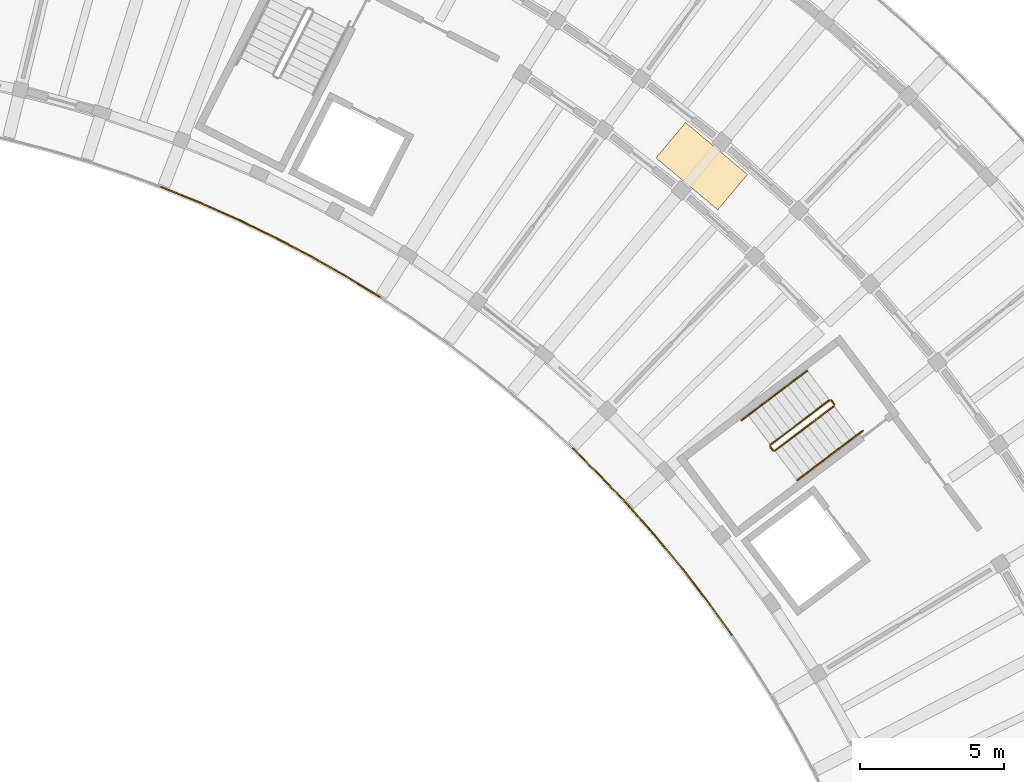
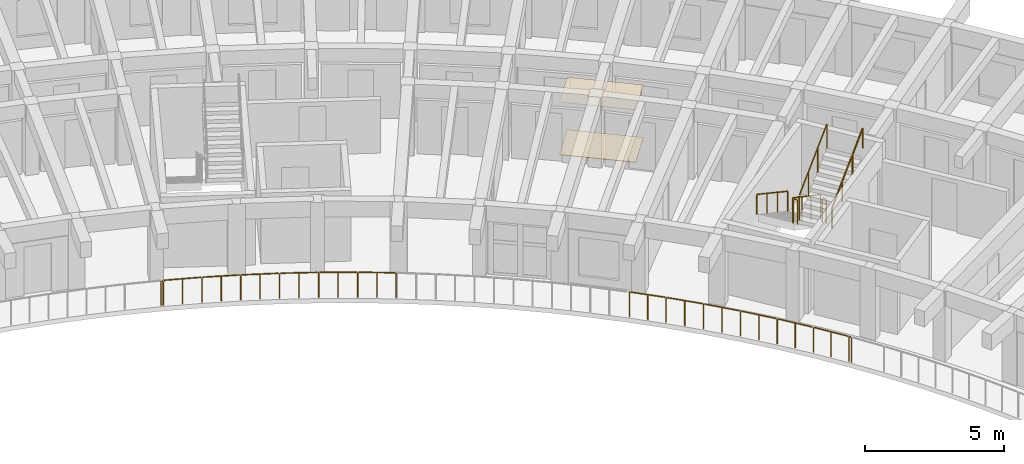
# One storey, part 80 of 83: 12 railings, 2 coverings.
"""IFC4 building model written with IfcOpenShell, lengths in metres."""

from ifc_helpers import new_model, si_unit, direction, frame, origin, origin_2d, place, context, subcontext, project, spatial, rectangle, circle, extrude, material, layer, layer_set, type_object, element, save


model = new_model("IFC4")

# Units and contexts
model_context = context("Model", 3, precision=1e-05, world=origin(), true_north=direction((0.0, 1.0)))
body_context = subcontext(model_context, "Body", "Model", "MODEL_VIEW")
ifc_project = project(units=[si_unit("LENGTHUNIT", "METRE"), si_unit("AREAUNIT", "SQUARE_METRE"), si_unit("VOLUMEUNIT", "CUBIC_METRE"), si_unit("PLANEANGLEUNIT", "RADIAN"), si_unit("MASSUNIT", "GRAM", prefix="KILO")], contexts=[model_context])

# Site, building, storey
site_placement = place(None, origin())
site = spatial("IfcSite", under=ifc_project, at=site_placement, CompositionType="ELEMENT")
building_placement = place(site_placement, origin())
building = spatial("IfcBuilding", under=site, at=building_placement, Name="Tanwirah Colonnade Gardens", CompositionType="ELEMENT")
storey_placement = place(building_placement, frame((0.0, 0.0, 25.639892578125)))
storey = spatial("IfcBuildingStorey", under=building, at=storey_placement, Name="L07", CompositionType="ELEMENT", Elevation=25.639892578125)

# Railings
ifc_material_1 = material(Name="Precast concrete C40/50", Category="concrete")
railing_type_1 = type_object("IfcRailingType", Name="BAL-EXT112", PredefinedType="BALUSTRADE", material=ifc_material_1)
railing_1_placement = place(storey_placement, frame((156.0654296875, 84.5283203125, 0.0)))
element("IfcRailing", 1, at=railing_1_placement, inside=storey, type_object=railing_type_1, Name="Block B L07 Balcony Ribbon Balustrade 3", PredefinedType="BALUSTRADE", context=body_context, shape_type="SweptSolid", body=[
    extrude(circle(Radius=0.02392578125, at=origin_2d()), frame((-0.017578125, 0.02587890625, 1.09619140625), z_axis=(-0.558634629196, 0.829413859942, 0.0), x_axis=(-0.829413859942, -0.558634629196, 0.0)), (0.0, 0.0, 1.0), 0.03759765625),
    extrude(circle(Radius=0.02392578125, at=origin_2d()), frame((-0.07568359375, 0.110595703125, 1.09619140625), z_axis=(-0.585522290474, 0.810656306556, 0.0), x_axis=(-0.810656306556, -0.585522290474, 0.0)), (0.0, 0.0, 1.0), 1.341796875),
    extrude(circle(Radius=0.02392578125, at=origin_2d()), frame((-0.900146484375, 1.25048828125, 1.09619140625), z_axis=(-0.611783903817, 0.791024939576, 0.0), x_axis=(-0.791024939576, -0.611783903817, 0.0)), (0.0, 0.0, 1.0), 1.341796875),
    extrude(circle(Radius=0.02392578125, at=origin_2d()), frame((-1.761962890625, 2.36279296875, 1.09619140625), z_axis=(-0.637581943595, 0.770382544715, 0.0), x_axis=(-0.770382544715, -0.637581943595, 0.0)), (0.0, 0.0, 1.0), 1.342041015625),
    extrude(circle(Radius=0.02392578125, at=origin_2d()), frame((-2.659912109375, 3.446044921875, 1.09619140625), z_axis=(-0.662581384852, 0.748989925464, 0.0), x_axis=(-0.748989925464, -0.662581384852, 0.0)), (0.0, 0.0, 1.0), 1.341796875),
    extrude(circle(Radius=0.02392578125, at=origin_2d()), frame((-3.5927734375, 4.4990234375, 1.09619140625), z_axis=(-0.687011382404, 0.726646654466, 0.0), x_axis=(-0.726646654466, -0.687011382404, 0.0)), (0.0, 0.0, 1.0), 1.341796875),
    extrude(circle(Radius=0.02392578125, at=origin_2d()), frame((-4.56005859375, 5.520751953125, 1.09619140625), z_axis=(-0.710503265935, 0.703693902983, 0.0), x_axis=(-0.703693902983, -0.710503265935, 0.0)), (0.0, 0.0, 1.0), 1.2998046875),
    extrude(circle(Radius=0.02099609375, at=origin_2d()), origin(), (0.0, 0.0, 1.0), 1.069091796875),
    extrude(circle(Radius=0.02099609375, at=origin_2d()), frame((-0.055908203125, 0.0830078125, 0.0)), (0.0, 0.0, 1.0), 1.069091796875),
    extrude(circle(Radius=0.02099609375, at=origin_2d()), frame((-0.468505859375, 0.654296875, 0.0)), (0.0, 0.0, 1.0), 1.069091796875),
    extrude(circle(Radius=0.02099609375, at=origin_2d()), frame((-0.879638671875, 1.2236328125, 0.0)), (0.0, 0.0, 1.0), 1.069091796875),
    extrude(circle(Radius=0.02099609375, at=origin_2d()), frame((-1.310546875, 1.78125, 0.0)), (0.0, 0.0, 1.0), 1.069091796875),
    extrude(circle(Radius=0.02099609375, at=origin_2d()), frame((-1.740234375, 2.336669921875, 0.0)), (0.0, 0.0, 1.0), 1.069091796875),
    extrude(circle(Radius=0.02099609375, at=origin_2d()), frame((-2.189697265625, 2.879638671875, 0.0)), (0.0, 0.0, 1.0), 1.069091796875),
    extrude(circle(Radius=0.02099609375, at=origin_2d()), frame((-2.637451171875, 3.420654296875, 0.0)), (0.0, 0.0, 1.0), 1.069091796875),
    extrude(circle(Radius=0.02099609375, at=origin_2d()), frame((-3.1044921875, 3.948486328125, 0.0)), (0.0, 0.0, 1.0), 1.069091796875),
    extrude(circle(Radius=0.02099609375, at=origin_2d()), frame((-3.569580078125, 4.474365234375, 0.0)), (0.0, 0.0, 1.0), 1.069091796875),
    extrude(circle(Radius=0.02099609375, at=origin_2d()), frame((-4.0537109375, 4.986572265625, 0.0)), (0.0, 0.0, 1.0), 1.069091796875),
    extrude(circle(Radius=0.02099609375, at=origin_2d()), frame((-4.5361328125, 5.496826171875, 0.0)), (0.0, 0.0, 1.0), 1.069091796875),
    extrude(circle(Radius=0.02099609375, at=origin_2d()), frame((-5.02197265625, 5.97802734375, 0.0)), (0.0, 0.0, 1.0), 1.069091796875),
    extrude(circle(Radius=0.02099609375, at=origin_2d()), frame((-5.505859375, 6.45751953125, 0.0)), (0.0, 0.0, 1.0), 1.069091796875),
])
railing_2_placement = place(storey_placement, frame((143.884521484375, 96.225830078125, 0.0)))
element("IfcRailing", 2, at=railing_2_placement, inside=storey, type_object=railing_type_1, Name="Block B L07 Balcony Ribbon Balustrade 5", PredefinedType="BALUSTRADE", context=body_context, shape_type="SweptSolid", body=[
    extrude(circle(Radius=0.02392578125, at=origin_2d()), frame((-0.026611328125, 0.016357421875, 1.09619140625), z_axis=(-0.852639087563, 0.522500321876, 0.0), x_axis=(-0.522500321876, -0.852639087563, 0.0)), (0.0, 0.0, 1.0), 1.32861328125),
    extrude(circle(Radius=0.02392578125, at=origin_2d()), frame((-1.21533203125, 0.743408203125, 1.09619140625), z_axis=(-0.869342839865, 0.494209496848, 0.0), x_axis=(-0.494209496848, -0.869342839865, 0.0)), (0.0, 0.0, 1.0), 1.342041015625),
    extrude(circle(Radius=0.02392578125, at=origin_2d()), frame((-2.439208984375, 1.43798828125, 1.09619140625), z_axis=(-0.885204649416, 0.465201814972, 0.0), x_axis=(-0.465201814972, -0.885204649416, 0.0)), (0.0, 0.0, 1.0), 1.341796875),
    extrude(circle(Radius=0.02392578125, at=origin_2d()), frame((-3.68505859375, 2.091552734375, 1.09619140625), z_axis=(-0.900124070825, 0.43563362717, 0.0), x_axis=(-0.43563362717, -0.900124070825, 0.0)), (0.0, 0.0, 1.0), 1.341796875),
    extrude(circle(Radius=0.02392578125, at=origin_2d()), frame((-4.951904296875, 2.70361328125, 1.09619140625), z_axis=(-0.913997826773, 0.40571908096, 0.0), x_axis=(-0.40571908096, -0.913997826773, 0.0)), (0.0, 0.0, 1.0), 1.342041015625),
    extrude(circle(Radius=0.02392578125, at=origin_2d()), frame((-6.23828125, 3.2734375, 1.09619140625), z_axis=(-0.92683738147, 0.375463005247, 0.0), x_axis=(-0.375463005247, -0.92683738147, 0.0)), (0.0, 0.0, 1.0), 1.342041015625),
    extrude(circle(Radius=0.02392578125, at=origin_2d()), frame((-7.542724609375, 3.80078125, 1.09619140625), z_axis=(-0.938692304915, 0.344756082896, 0.0), x_axis=(-0.344756082896, -0.938692304915, 0.0)), (0.0, 0.0, 1.0), 0.009033203125),
    extrude(circle(Radius=0.02099609375, at=origin_2d()), origin(), (0.0, 0.0, 1.0), 1.069091796875),
    extrude(circle(Radius=0.02099609375, at=origin_2d()), frame((-0.593017578125, 0.36328125, 0.0)), (0.0, 0.0, 1.0), 1.069091796875),
    extrude(circle(Radius=0.02099609375, at=origin_2d()), frame((-1.18603515625, 0.726806640625, 0.0)), (0.0, 0.0, 1.0), 1.069091796875),
    extrude(circle(Radius=0.02099609375, at=origin_2d()), frame((-1.798828125, 1.0751953125, 0.0)), (0.0, 0.0, 1.0), 1.069091796875),
    extrude(circle(Radius=0.02099609375, at=origin_2d()), frame((-2.4091796875, 1.422119140625, 0.0)), (0.0, 0.0, 1.0), 1.069091796875),
    extrude(circle(Radius=0.02099609375, at=origin_2d()), frame((-3.033203125, 1.75, 0.0)), (0.0, 0.0, 1.0), 1.069091796875),
    extrude(circle(Radius=0.02099609375, at=origin_2d()), frame((-3.65478515625, 2.07666015625, 0.0)), (0.0, 0.0, 1.0), 1.069091796875),
    extrude(circle(Radius=0.02099609375, at=origin_2d()), frame((-4.2890625, 2.3837890625, 0.0)), (0.0, 0.0, 1.0), 1.069091796875),
    extrude(circle(Radius=0.02099609375, at=origin_2d()), frame((-4.921142578125, 2.689697265625, 0.0)), (0.0, 0.0, 1.0), 1.069091796875),
    extrude(circle(Radius=0.02099609375, at=origin_2d()), frame((-5.565185546875, 2.975830078125, 0.0)), (0.0, 0.0, 1.0), 1.069091796875),
    extrude(circle(Radius=0.02099609375, at=origin_2d()), frame((-6.20703125, 3.2607421875, 0.0)), (0.0, 0.0, 1.0), 1.069091796875),
    extrude(circle(Radius=0.02099609375, at=origin_2d()), frame((-6.860107421875, 3.525390625, 0.0)), (0.0, 0.0, 1.0), 1.069091796875),
    extrude(circle(Radius=0.02099609375, at=origin_2d()), frame((-7.510986328125, 3.7890625, 0.0)), (0.0, 0.0, 1.0), 1.069091796875),
    extrude(circle(Radius=0.02099609375, at=origin_2d()), frame((-7.58056640625, 3.814697265625, 0.0)), (0.0, 0.0, 1.0), 1.069091796875),
])

# Coverings
ifc_material_2 = material(Name="Acoustic perforated gypsum ceiling board")
ifc_layer_1 = layer(ifc_material_2, 0.014892578125)
ifc_layer_set_1 = layer_set([ifc_layer_1], Name="Acoustic perforated gypsum ceiling board")
covering_type_1 = type_object("IfcCoveringType", Name="COV-CEIL15", PredefinedType="CEILING", material=ifc_layer_set_1)
covering_1_placement = place(storey_placement, frame((155.03564453125, 100.761962890625, 2.3125), z_axis=(0.0, 0.0, 1.0), x_axis=(-0.766044443119, 0.642787609687, 0.0)))
element("IfcCovering", 3, at=covering_1_placement, inside=storey, type_object=covering_type_1, Name="Block B L07 Corridor Acoustic Ceiling", PredefinedType="CEILING", context=body_context, shape_type="SweptSolid", body=[
    extrude(rectangle(XDim=2.800048828125, YDim=1.60009765625, at=origin_2d()), origin(), (0.0, 0.0, 1.0), 0.014892578125),
])
ifc_material_3 = material(Name="Honed Abu Dhabi limestone terrazzo flooring", Category="masonry")
ifc_layer_2 = layer(ifc_material_3, 0.02001953125)
ifc_layer_set_2 = layer_set([ifc_layer_2], Name="Honed Abu Dhabi limestone terrazzo flooring")
covering_type_2 = type_object("IfcCoveringType", Name="COV-FLR20", PredefinedType="FLOORING", material=ifc_layer_set_2)
covering_2_placement = place(storey_placement, frame((155.03564453125, 100.761962890625, 0.0), z_axis=(0.0, 0.0, 1.0), x_axis=(-0.766044443119, 0.642787609687, 0.0)))
element("IfcCovering", 4, at=covering_2_placement, inside=storey, type_object=covering_type_2, Name="Block B L07 Corridor Terrazzo Flooring", PredefinedType="FLOORING", context=body_context, shape_type="SweptSolid", body=[
    extrude(rectangle(XDim=2.800048828125, YDim=1.60009765625, at=origin_2d()), origin(), (0.0, 0.0, 1.0), 0.02001953125),
])

# Railings
ifc_material_4 = material(Name="Powder-coated galvanized steel", Category="steel")
railing_type_2 = type_object("IfcRailingType", Name="GRD-ST110", PredefinedType="GUARDRAIL", material=ifc_material_4)
railing_3_placement = place(storey_placement, frame((159.46435546875, 92.6533203125, 0.168212890625)))
element("IfcRailing", 5, at=railing_3_placement, inside=storey, type_object=railing_type_2, Name="L07 ST-B1 stair guard 1", PredefinedType="GUARDRAIL", context=body_context, shape_type="SweptSolid", body=[
    extrude(circle(Radius=0.02392578125, at=origin_2d()), frame((-0.021484375, -0.01611328125, 1.092041015625), z_axis=(-0.687998426946, -0.518417885, 0.507839601678), x_axis=(0.601795686627, -0.798650080797, 0.0)), (0.0, 0.0, 1.0), 2.914794921875),
    extrude(circle(Radius=0.02099609375, at=origin_2d()), origin(), (0.0, 0.0, 1.0), 1.049072265625),
    extrude(circle(Radius=0.02099609375, at=origin_2d()), frame((-0.682861328125, -0.514404296875, 0.50390625)), (0.0, 0.0, 1.0), 1.049072265625),
    extrude(circle(Radius=0.02099609375, at=origin_2d()), frame((-1.365478515625, -1.029052734375, 1.008056640625)), (0.0, 0.0, 1.0), 1.049072265625),
    extrude(circle(Radius=0.02099609375, at=origin_2d()), frame((-2.04833984375, -1.54345703125, 1.511962890625)), (0.0, 0.0, 1.0), 1.049072265625),
])
railing_4_placement = place(storey_placement, frame((157.406005859375, 91.039794921875, 1.68017578125)))
element("IfcRailing", 6, at=railing_4_placement, inside=storey, type_object=railing_type_2, Name="L07 ST-B1 stair guard 2", PredefinedType="GUARDRAIL", context=body_context, shape_type="SweptSolid", body=[
    extrude(circle(Radius=0.02392578125, at=origin_2d()), frame((0.018798828125, -0.02490234375, 1.076171875), z_axis=(0.601948835455, -0.798534657667, 0.0), x_axis=(0.798534657667, 0.601948835455, 0.0)), (0.0, 0.0, 1.0), 0.09765625),
    extrude(circle(Radius=0.02099609375, at=origin_2d()), origin(), (0.0, 0.0, 1.0), 1.049072265625),
    extrude(circle(Radius=0.02099609375, at=origin_2d()), frame((0.096435546875, -0.1279296875, 0.0)), (0.0, 0.0, 1.0), 1.049072265625),
])
railing_5_placement = place(storey_placement, frame((157.572265625, 90.902099609375, 1.84814453125)))
element("IfcRailing", 7, at=railing_5_placement, inside=storey, type_object=railing_type_2, Name="L07 ST-B1 stair guard 3", PredefinedType="GUARDRAIL", context=body_context, shape_type="SweptSolid", body=[
    extrude(circle(Radius=0.02392578125, at=origin_2d()), frame((0.021484375, 0.01611328125, 1.092041015625), z_axis=(0.688012363654, 0.518448596756, 0.507789365762), x_axis=(-0.601810650199, 0.798638805285, 0.0)), (0.0, 0.0, 1.0), 2.9150390625),
    extrude(circle(Radius=0.02099609375, at=origin_2d()), origin(), (0.0, 0.0, 1.0), 1.049072265625),
    extrude(circle(Radius=0.02099609375, at=origin_2d()), frame((0.682861328125, 0.5146484375, 0.50390625)), (0.0, 0.0, 1.0), 1.049072265625),
    extrude(circle(Radius=0.02099609375, at=origin_2d()), frame((1.36572265625, 1.029052734375, 1.008056640625)), (0.0, 0.0, 1.0), 1.049072265625),
    extrude(circle(Radius=0.02099609375, at=origin_2d()), frame((2.048583984375, 1.543701171875, 1.511962890625)), (0.0, 0.0, 1.0), 1.049072265625),
])
railing_6_placement = place(storey_placement, frame((159.534423828125, 92.6435546875, 0.0)))
element("IfcRailing", 8, at=railing_6_placement, inside=storey, type_object=railing_type_2, Name="L07 ST-B1 stair guard 4", PredefinedType="GUARDRAIL", context=body_context, shape_type="SweptSolid", body=[
    extrude(circle(Radius=0.02392578125, at=origin_2d()), frame((0.018798828125, -0.02490234375, 1.076171875), z_axis=(0.601709070646, -0.798715339969, 0.0), x_axis=(0.798715339969, 0.601709070646, 0.0)), (0.0, 0.0, 1.0), 0.097412109375),
    extrude(circle(Radius=0.02099609375, at=origin_2d()), origin(), (0.0, 0.0, 1.0), 1.049072265625),
    extrude(circle(Radius=0.02099609375, at=origin_2d()), frame((0.09619140625, -0.127685546875, 0.0)), (0.0, 0.0, 1.0), 1.049072265625),
])
ifc_material_5 = material(Name="Brushed bronze stainless steel", Category="steel")
railing_type_3 = type_object("IfcRailingType", Name="HR-ST090", PredefinedType="HANDRAIL", material=ifc_material_5)
railing_7_placement = place(storey_placement, frame((158.694091796875, 93.67578125, 0.168212890625)))
element("IfcRailing", 9, at=railing_7_placement, inside=storey, type_object=railing_type_3, Name="L07 ST-B1 stair handrail 1", PredefinedType="HANDRAIL", context=body_context, shape_type="SweptSolid", body=[
    extrude(circle(Radius=0.02392578125, at=origin_2d()), frame((-0.021484375, -0.01611328125, 0.891845703125), z_axis=(-0.686145346169, -0.517037451972, 0.51173903231), x_axis=(0.601807485929, -0.798641189696, 0.0)), (0.0, 0.0, 1.0), 1.04345703125),
    extrude(circle(Radius=0.02099609375, at=origin_2d()), origin(), (0.0, 0.0, 1.0), 0.848876953125),
    extrude(circle(Radius=0.02099609375, at=origin_2d()), frame((-0.7587890625, -0.57177734375, 0.56591796875)), (0.0, 0.0, 1.0), 0.848876953125),
])
railing_8_placement = place(storey_placement, frame((157.935302734375, 93.10400390625, 0.734130859375)))
element("IfcRailing", 10, at=railing_8_placement, inside=storey, type_object=railing_type_3, Name="L07 ST-B1 stair handrail 2", PredefinedType="HANDRAIL", context=body_context, shape_type="SweptSolid", body=[
    extrude(circle(Radius=0.02392578125, at=origin_2d()), frame((-0.021484375, -0.01611328125, 0.891845703125), z_axis=(-0.686028488458, -0.517115777267, 0.511816554955), x_axis=(0.601931007785, -0.798548096152, 0.0)), (0.0, 0.0, 1.0), 1.043212890625),
    extrude(circle(Radius=0.02099609375, at=origin_2d()), origin(), (0.0, 0.0, 1.0), 0.848876953125),
    extrude(circle(Radius=0.02099609375, at=origin_2d()), frame((-0.758544921875, -0.57177734375, 0.56591796875)), (0.0, 0.0, 1.0), 0.848876953125),
])
railing_9_placement = place(storey_placement, frame((157.1767578125, 92.5322265625, 1.300048828125)))
element("IfcRailing", 11, at=railing_9_placement, inside=storey, type_object=railing_type_3, Name="L07 ST-B1 stair handrail 3", PredefinedType="HANDRAIL", context=body_context, shape_type="SweptSolid", body=[
    extrude(circle(Radius=0.02392578125, at=origin_2d()), frame((-0.021484375, -0.01611328125, 0.891845703125), z_axis=(-0.686067825084, -0.516979036791, 0.511901958292), x_axis=(0.601807485929, -0.798641189696, 0.0)), (0.0, 0.0, 1.0), 1.04345703125),
    extrude(circle(Radius=0.02099609375, at=origin_2d()), origin(), (0.0, 0.0, 1.0), 0.848876953125),
    extrude(circle(Radius=0.02099609375, at=origin_2d()), frame((-0.7587890625, -0.57177734375, 0.566162109375)), (0.0, 0.0, 1.0), 0.848876953125),
])
railing_10_placement = place(storey_placement, frame((158.3427734375, 89.8798828125, 1.84814453125)))
element("IfcRailing", 12, at=railing_10_placement, inside=storey, type_object=railing_type_3, Name="L07 ST-B1 stair handrail 4", PredefinedType="HANDRAIL", context=body_context, shape_type="SweptSolid", body=[
    extrude(circle(Radius=0.02392578125, at=origin_2d()), frame((0.021484375, 0.01611328125, 0.891845703125), z_axis=(0.686028488458, 0.517115777267, 0.511816554955), x_axis=(-0.601931007785, 0.798548096152, 0.0)), (0.0, 0.0, 1.0), 1.043212890625),
    extrude(circle(Radius=0.02099609375, at=origin_2d()), origin(), (0.0, 0.0, 1.0), 0.848876953125),
    extrude(circle(Radius=0.02099609375, at=origin_2d()), frame((0.758544921875, 0.57177734375, 0.56591796875)), (0.0, 0.0, 1.0), 0.848876953125),
])
railing_11_placement = place(storey_placement, frame((159.101318359375, 90.45166015625, 2.4140625)))
element("IfcRailing", 13, at=railing_11_placement, inside=storey, type_object=railing_type_3, Name="L07 ST-B1 stair handrail 5", PredefinedType="HANDRAIL", context=body_context, shape_type="SweptSolid", body=[
    extrude(circle(Radius=0.02392578125, at=origin_2d()), frame((0.021484375, 0.01611328125, 0.891845703125), z_axis=(0.686067825084, 0.516979036791, 0.511901958292), x_axis=(-0.601807485929, 0.798641189696, 0.0)), (0.0, 0.0, 1.0), 1.04345703125),
    extrude(circle(Radius=0.02099609375, at=origin_2d()), origin(), (0.0, 0.0, 1.0), 0.848876953125),
    extrude(circle(Radius=0.02099609375, at=origin_2d()), frame((0.7587890625, 0.57177734375, 0.566162109375)), (0.0, 0.0, 1.0), 0.848876953125),
])
railing_12_placement = place(storey_placement, frame((159.860107421875, 91.0234375, 2.980224609375)))
element("IfcRailing", 14, at=railing_12_placement, inside=storey, type_object=railing_type_3, Name="L07 ST-B1 stair handrail 6", PredefinedType="HANDRAIL", context=body_context, shape_type="SweptSolid", body=[
    extrude(circle(Radius=0.02392578125, at=origin_2d()), frame((0.021484375, 0.01611328125, 0.891845703125), z_axis=(0.686223662955, 0.51687567406, 0.51179744232), x_axis=(-0.601643549736, 0.798764695677, 0.0)), (0.0, 0.0, 1.0), 1.043212890625),
    extrude(circle(Radius=0.02099609375, at=origin_2d()), origin(), (0.0, 0.0, 1.0), 0.848876953125),
    extrude(circle(Radius=0.02099609375, at=origin_2d()), frame((0.7587890625, 0.571533203125, 0.56591796875)), (0.0, 0.0, 1.0), 0.848876953125),
])

save(model, "model.ifc")
